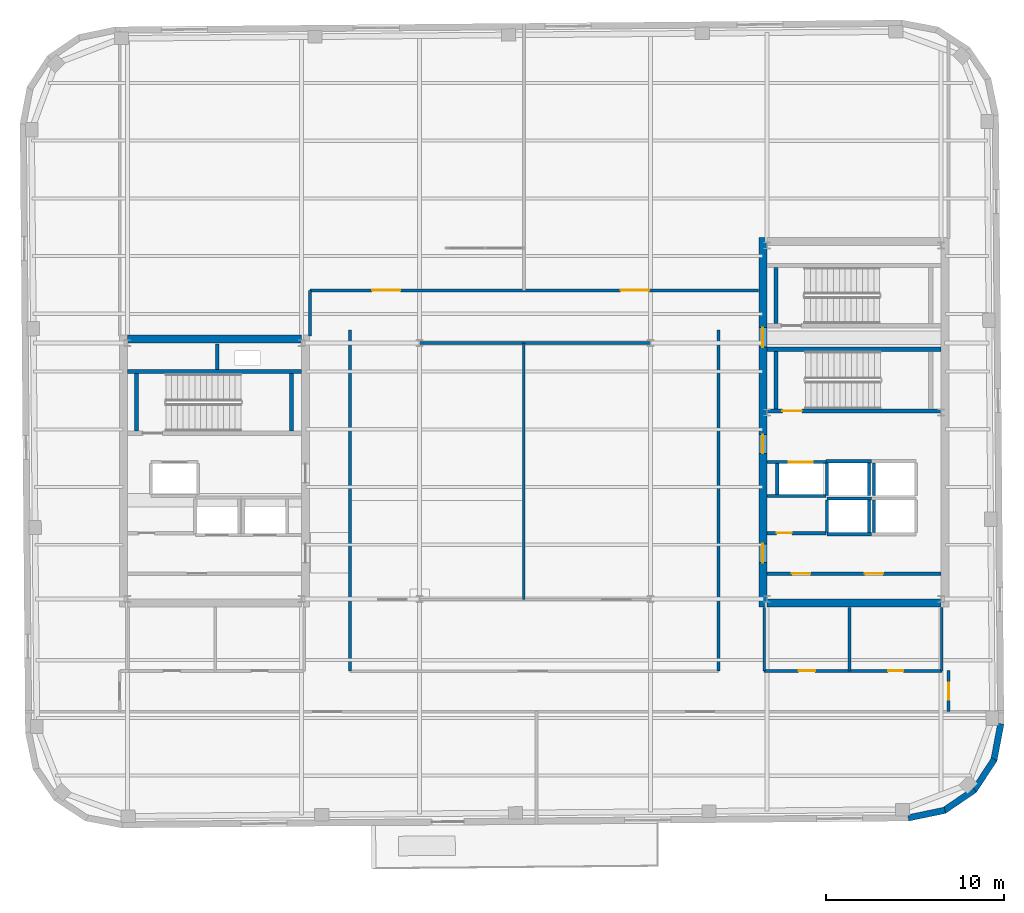
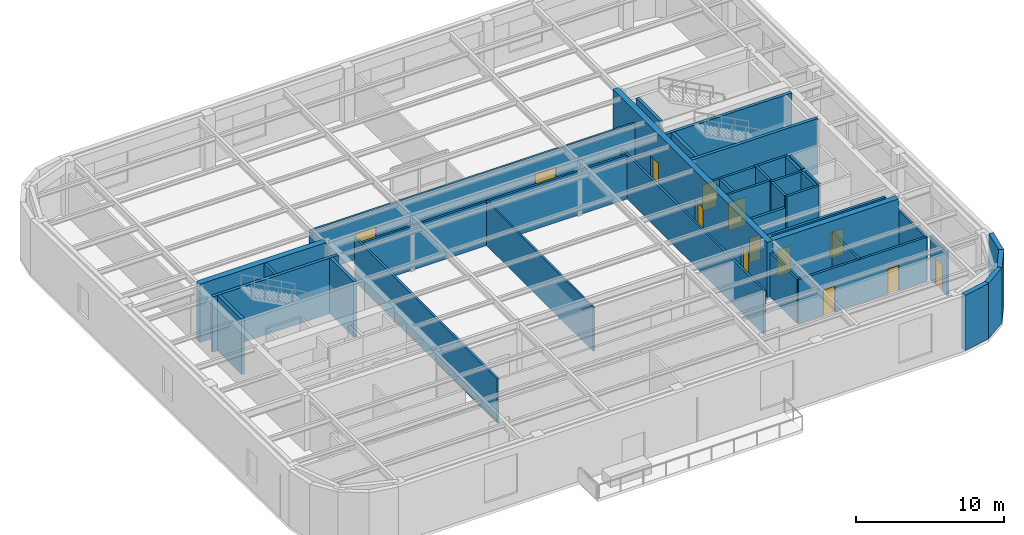
# One storey, part 9 of 13: 40 walls, 13 doors, 13 openings.
"""IFC4 building model written with IfcOpenShell, lengths in metres."""

from ifc_helpers import new_model, si_unit, direction, frame, frame_2d, origin, place, context, subcontext, project, spatial, rectangle, extrude, material, layer, layer_set, type_object, element, fill, save


model = new_model("IFC4")

# Units and contexts
model_context = context("Model", 3, precision=1e-05, world=origin(), true_north=direction((0.0, 1.0)))
body_context = subcontext(model_context, "Body", "Model", "MODEL_VIEW")
ifc_project = project(units=[si_unit("LENGTHUNIT", "METRE"), si_unit("AREAUNIT", "SQUARE_METRE"), si_unit("VOLUMEUNIT", "CUBIC_METRE"), si_unit("PLANEANGLEUNIT", "RADIAN"), si_unit("MASSUNIT", "GRAM", prefix="KILO")], contexts=[model_context])

# Site, building, storey
site_placement = place(None, origin())
site = spatial("IfcSite", under=ifc_project, at=site_placement, CompositionType="ELEMENT")
building_placement = place(site_placement, origin())
building = spatial("IfcBuilding", under=site, at=building_placement, Name="Kolvaren Arena Tower", CompositionType="ELEMENT")
storey_placement = place(building_placement, frame((0.0, 0.0, 312.39990234375)))
storey = spatial("IfcBuildingStorey", under=building, at=storey_placement, Name="L77", CompositionType="ELEMENT", Elevation=312.39990234375)

# Walls
ifc_material_1 = material(Name="Gypsum board acoustic assembly", Category="gypsum")
ifc_layer_1 = layer(ifc_material_1, 0.159912109375)
ifc_layer_set_1 = layer_set([ifc_layer_1], Name="Gypsum board acoustic assembly")
wall_type_1 = type_object("IfcWallType", Name="CORR-160", PredefinedType="PARTITIONING", material=ifc_layer_set_1)
wall_1_placement = place(storey_placement, frame((27.080078125, 33.85009765625, 0.0), z_axis=(0.0, 0.0, 1.0), x_axis=(1.0, 0.0, 0.0)))
element("IfcWall", 1, at=wall_1_placement, inside=storey, type_object=wall_type_1, Name="Interior Partition Wall (L77)", PredefinedType="PARTITIONING", context=body_context, shape_type="SweptSolid", body=[
    extrude(rectangle(XDim=20.739990234375, YDim=0.159912109375, at=frame_2d((10.3701171875, 0.0))), origin(), (0.0, 0.0, 1.0), 3.6201171875),
])
for number, where, z_axis, x_axis, name in (
    (2, (27.080078125, 15.3798828125, 0.0), (0.0, 0.0, 1.0), (0.0, 1.0, 0.0), "Interior Partition Wall (L77)"),
    (3, (47.820068359375, 15.3798828125, 0.0), (0.0, 0.0, 1.0), (0.0, 1.0, 0.0), "Interior Partition Wall (L77)"),
):
    element("IfcWall", number, at=place(storey_placement, frame(where, z_axis=z_axis, x_axis=x_axis)), inside=storey, type_object=wall_type_1, Name=name, PredefinedType="PARTITIONING", context=body_context, shape_type="SweptSolid", body=[
        extrude(rectangle(XDim=19.2001953125, YDim=0.159912109375, at=frame_2d((9.60009765625, 0.0))), origin(), (0.0, 0.0, 1.0), 3.6201171875),
    ])
wall_2_placement = place(storey_placement, frame((24.820068359375, 34.25, 0.0), z_axis=(0.0, 0.0, 1.0), x_axis=(0.0, 1.0, 0.0)))
element("IfcWall", 4, at=wall_2_placement, inside=storey, type_object=wall_type_1, Name="Interior Partition Wall (L77)", PredefinedType="PARTITIONING", context=body_context, shape_type="SweptSolid", body=[
    extrude(rectangle(XDim=2.570068359375, YDim=0.159912109375, at=frame_2d((1.28515625, 0.0))), origin(), (0.0, 0.0, 1.0), 3.6201171875),
])

# Wall, openings, doors
wall_3_placement = place(storey_placement, frame((24.820068359375, 36.820068359375, 0.0), z_axis=(0.0, 0.0, 1.0), x_axis=(1.0, 0.0, 0.0)))
wall_3 = element("IfcWall", 5, at=wall_3_placement, inside=storey, type_object=wall_type_1, Name="Interior Partition Wall (L77)", PredefinedType="PARTITIONING", context=body_context, shape_type="SweptSolid", body=[
    extrude(rectangle(XDim=25.260009765625, YDim=0.159912109375, at=frame_2d((12.6298828125, 0.0))), origin(), (0.0, 0.0, 1.0), 3.6201171875),
])
opening_1_placement = place(wall_3_placement, frame((3.5, 0.0, 0.0)))
opening_1 = element("IfcOpeningElement", 6, at=opening_1_placement, cuts=wall_3, Name="Opening D06", PredefinedType="OPENING", context=body_context, shape_type="SweptSolid", body=[
    extrude(rectangle(XDim=1.60009765625, YDim=2.14990234375, at=frame_2d((0.800048828125, 1.074951171875))), frame((0.0, 0.08984375, 0.0), z_axis=(0.0, -1.0, 0.0), x_axis=(1.0, 0.0, 0.0)), (0.0, 0.0, 1.0), 0.179931640625),
])
opening_2_placement = place(wall_3_placement, frame((17.5, 0.0, 0.0)))
opening_2 = element("IfcOpeningElement", 7, at=opening_2_placement, cuts=wall_3, Name="Opening D06", PredefinedType="OPENING", context=body_context, shape_type="SweptSolid", body=[
    extrude(rectangle(XDim=1.60009765625, YDim=2.14990234375, at=frame_2d((0.800048828125, 1.074951171875))), frame((0.0, 0.08984375, 0.0), z_axis=(0.0, -1.0, 0.0), x_axis=(1.0, 0.0, 0.0)), (0.0, 0.0, 1.0), 0.179931640625),
])
ifc_material_2 = material(Name="Glazed acoustic boardroom double door", Category="aluminium")
door_type_1 = type_object("IfcDoorType", Name="DOOR-MT-160", OperationType="DOUBLE_DOOR_SINGLE_SWING", PredefinedType="DOOR", material=ifc_material_2)
door_1_placement = place(opening_1_placement, origin())
door_1 = element("IfcDoor", 8, at=door_1_placement, inside=storey, type_object=door_type_1, Name="Wintergarden Door (L77)", OperationType="DOUBLE_DOOR_SINGLE_SWING", OverallHeight=2.14990234375, OverallWidth=1.60009765625, PredefinedType="DOOR", context=body_context, shape_type="SweptSolid", body=[
    extrude(rectangle(XDim=1.60009765625, YDim=2.14990234375, at=frame_2d((0.800048828125, 1.074951171875))), frame((0.0, 0.02490234375, 0.0), z_axis=(0.0, -1.0, 0.0), x_axis=(1.0, 0.0, 0.0)), (0.0, 0.0, 1.0), 0.050048828125),
])
fill(opening_1, door_1)
door_2_placement = place(opening_2_placement, origin())
door_2 = element("IfcDoor", 9, at=door_2_placement, inside=storey, type_object=door_type_1, Name="Catering Pantry Door (L77)", OperationType="DOUBLE_DOOR_SINGLE_SWING", OverallHeight=2.14990234375, OverallWidth=1.60009765625, PredefinedType="DOOR", context=body_context, shape_type="SweptSolid", body=[
    extrude(rectangle(XDim=1.60009765625, YDim=2.14990234375, at=frame_2d((0.800048828125, 1.074951171875))), frame((0.0, 0.02490234375, 0.0), z_axis=(0.0, -1.0, 0.0), x_axis=(1.0, 0.0, 0.0)), (0.0, 0.0, 1.0), 0.050048828125),
])
fill(opening_2, door_2)

# Wall, opening, door
wall_4_placement = place(storey_placement, frame((60.780029296875, 13.1201171875, 0.0), z_axis=(0.0, 0.0, 1.0), x_axis=(0.0, 1.0, 0.0)))
wall_4 = element("IfcWall", 10, at=wall_4_placement, inside=storey, type_object=wall_type_1, Name="Interior Partition Wall (L77)", PredefinedType="PARTITIONING", context=body_context, shape_type="SweptSolid", body=[
    extrude(rectangle(XDim=2.2998046875, YDim=0.159912109375, at=frame_2d((1.14990234375, 0.0))), origin(), (0.0, 0.0, 1.0), 3.6201171875),
])
opening_3_placement = place(wall_4_placement, frame((0.64990234375, 0.0, 0.0)))
opening_3 = element("IfcOpeningElement", 11, at=opening_3_placement, cuts=wall_4, Name="Opening D05", PredefinedType="OPENING", context=body_context, shape_type="SweptSolid", body=[
    extrude(rectangle(XDim=0.949951171875, YDim=2.14990234375, at=frame_2d((0.47509765625, 1.074951171875))), frame((0.0, 0.08984375, 0.0), z_axis=(0.0, -1.0, 0.0), x_axis=(1.0, 0.0, 0.0)), (0.0, 0.0, 1.0), 0.179931640625),
])
ifc_material_3 = material(Name="Solid-core oak acoustic office door", Category="wood")
door_type_2 = type_object("IfcDoorType", Name="DOOR-OF-095", OperationType="NOTDEFINED", PredefinedType="DOOR", material=ifc_material_3)
door_3_placement = place(opening_3_placement, origin())
door_3 = element("IfcDoor", 12, at=door_3_placement, inside=storey, type_object=door_type_2, Name="East Sky Lounge Door (L77)", OperationType="SINGLE_SWING_RIGHT", OverallHeight=2.14990234375, OverallWidth=0.949951171875, PredefinedType="DOOR", context=body_context, shape_type="SweptSolid", body=[
    extrude(rectangle(XDim=0.949951171875, YDim=2.14990234375, at=frame_2d((0.47509765625, 1.074951171875))), frame((0.0, 0.02490234375, 0.0), z_axis=(0.0, -1.0, 0.0), x_axis=(1.0, 0.0, 0.0)), (0.0, 0.0, 1.0), 0.050048828125),
])
fill(opening_3, door_3)

# Wall
ifc_material_4 = material(Name="Concrete 55 MPa", Category="concrete")
ifc_layer_2 = layer(ifc_material_4, 0.449951171875)
ifc_layer_set_2 = layer_set([ifc_layer_2], Name="Concrete 55 MPa")
wall_type_2 = type_object("IfcWallType", Name="CWALL-450", PredefinedType="SHEAR", material=ifc_layer_set_2)
wall_5_placement = place(storey_placement, frame((14.550048828125, 34.074951171875, -0.239990234375), z_axis=(0.0, 0.0, 1.0), x_axis=(1.0, 0.0, 0.0)))
element("IfcWall", 13, at=wall_5_placement, inside=storey, type_object=wall_type_2, Name="Core Shear Wall WC-NORTH (L77)", PredefinedType="SHEAR", context=body_context, shape_type="SweptSolid", body=[
    extrude(rectangle(XDim=9.800048828125, YDim=0.449951171875, at=frame_2d((4.89990234375, 0.0))), origin(), (0.0, 0.0, 1.0), 4.800048828125),
])

# Wall, openings, doors
wall_6_placement = place(storey_placement, frame((50.324951171875, 19.0, -0.239990234375), z_axis=(0.0, 0.0, 1.0), x_axis=(0.0, 1.0, 0.0)))
wall_6 = element("IfcWall", 14, at=wall_6_placement, inside=storey, type_object=wall_type_2, Name="Core Shear Wall EC-WEST (L77)", PredefinedType="SHEAR", context=body_context, shape_type="SweptSolid", body=[
    extrude(rectangle(XDim=20.800048828125, YDim=0.449951171875, at=frame_2d((10.39990234375, 0.0))), origin(), (0.0, 0.0, 1.0), 4.800048828125),
])
opening_4_placement = place(wall_6_placement, frame((2.5, 0.0, 0.239990234375)))
opening_4 = element("IfcOpeningElement", 15, at=opening_4_placement, cuts=wall_6, Name="Opening D04", PredefinedType="OPENING", context=body_context, shape_type="SweptSolid", body=[
    extrude(rectangle(XDim=1.050048828125, YDim=2.14990234375, at=frame_2d((0.52490234375, 1.074951171875))), frame((0.0, 0.23486328125, 0.0), z_axis=(0.0, -1.0, 0.0), x_axis=(1.0, 0.0, 0.0)), (0.0, 0.0, 1.0), 0.469970703125),
])
opening_5_placement = place(wall_6_placement, frame((8.64990234375, 0.0, 0.239990234375)))
opening_5 = element("IfcOpeningElement", 16, at=opening_5_placement, cuts=wall_6, Name="Opening D04", PredefinedType="OPENING", context=body_context, shape_type="SweptSolid", body=[
    extrude(rectangle(XDim=1.050048828125, YDim=2.14990234375, at=frame_2d((0.52490234375, 1.074951171875))), frame((0.0, 0.23486328125, 0.0), z_axis=(0.0, -1.0, 0.0), x_axis=(1.0, 0.0, 0.0)), (0.0, 0.0, 1.0), 0.469970703125),
])
opening_6_placement = place(wall_6_placement, frame((14.6201171875, 0.0, 0.239990234375)))
opening_6 = element("IfcOpeningElement", 17, at=opening_6_placement, cuts=wall_6, Name="Opening D03", PredefinedType="OPENING", context=body_context, shape_type="SweptSolid", body=[
    extrude(rectangle(XDim=1.10009765625, YDim=2.14990234375, at=frame_2d((0.550048828125, 1.074951171875))), frame((0.0, 0.23486328125, 0.0), z_axis=(0.0, -1.0, 0.0), x_axis=(1.0, 0.0, 0.0)), (0.0, 0.0, 1.0), 0.469970703125),
])
ifc_material_5 = material(Name="Fire-rated steel lobby door", Category="steel")
door_type_3 = type_object("IfcDoorType", Name="DOOR-FF-105", OperationType="NOTDEFINED", PredefinedType="DOOR", material=ifc_material_5)
door_4_placement = place(opening_4_placement, origin())
door_4 = element("IfcDoor", 18, at=door_4_placement, inside=storey, type_object=door_type_3, Name="East Lift Lobby Fire Door (L77)", OperationType="SINGLE_SWING_RIGHT", OverallHeight=2.14990234375, OverallWidth=1.050048828125, PredefinedType="DOOR", context=body_context, shape_type="SweptSolid", body=[
    extrude(rectangle(XDim=1.050048828125, YDim=2.14990234375, at=frame_2d((0.52490234375, 1.074951171875))), frame((0.0, 0.02490234375, 0.0), z_axis=(0.0, -1.0, 0.0), x_axis=(1.0, 0.0, 0.0)), (0.0, 0.0, 1.0), 0.050048828125),
])
fill(opening_4, door_4)
door_5_placement = place(opening_5_placement, origin())
door_5 = element("IfcDoor", 19, at=door_5_placement, inside=storey, type_object=door_type_3, Name="East Firefighter Vestibule Door (L77)", OperationType="SINGLE_SWING_LEFT", OverallHeight=2.14990234375, OverallWidth=1.050048828125, PredefinedType="DOOR", context=body_context, shape_type="SweptSolid", body=[
    extrude(rectangle(XDim=1.050048828125, YDim=2.14990234375, at=frame_2d((0.52490234375, 1.074951171875))), frame((0.0, 0.02490234375, 0.0), z_axis=(0.0, -1.0, 0.0), x_axis=(1.0, 0.0, 0.0)), (0.0, 0.0, 1.0), 0.050048828125),
])
fill(opening_5, door_5)
ifc_material_6 = material(Name="Fire-rated steel exit stair door", Category="steel")
door_type_4 = type_object("IfcDoorType", Name="DOOR-ST-110", OperationType="NOTDEFINED", PredefinedType="DOOR", material=ifc_material_6)
door_6_placement = place(opening_6_placement, origin())
door_6 = element("IfcDoor", 20, at=door_6_placement, inside=storey, type_object=door_type_4, Name="Stair ST-E2 Vestibule Fire Door (L77)", OperationType="SINGLE_SWING_LEFT", OverallHeight=2.14990234375, OverallWidth=1.10009765625, PredefinedType="DOOR", context=body_context, shape_type="SweptSolid", body=[
    extrude(rectangle(XDim=1.10009765625, YDim=2.14990234375, at=frame_2d((0.550048828125, 1.074951171875))), frame((0.0, 0.02490234375, 0.0), z_axis=(0.0, -1.0, 0.0), x_axis=(1.0, 0.0, 0.0)), (0.0, 0.0, 1.0), 0.050048828125),
])
fill(opening_6, door_6)

# Walls
wall_7_placement = place(storey_placement, frame((50.550048828125, 19.22509765625, -0.239990234375), z_axis=(0.0, 0.0, 1.0), x_axis=(1.0, 0.0, 0.0)))
element("IfcWall", 21, at=wall_7_placement, inside=storey, type_object=wall_type_2, Name="Core Shear Wall EC-SOUTH (L77)", PredefinedType="SHEAR", context=body_context, shape_type="SweptSolid", body=[
    extrude(rectangle(XDim=9.800048828125, YDim=0.449951171875, at=frame_2d((4.89990234375, 0.0))), origin(), (0.0, 0.0, 1.0), 4.800048828125),
])
ifc_material_7 = material(Name="Precast concrete C50/60", Category="concrete")
ifc_layer_3 = layer(ifc_material_7, 0.360107421875)
ifc_layer_set_3 = layer_set([ifc_layer_3], Name="Precast concrete C50/60")
wall_type_3 = type_object("IfcWallType", Name="EXT-PIER2", PredefinedType="SOLIDWALL", material=ifc_layer_set_3)
wall_8_placement = place(storey_placement, frame((60.572265625, 7.54931640625, 0.0), z_axis=(0.0, 0.0, 1.0), x_axis=(-0.979059388908, -0.203574833883, 0.0)))
element("IfcWall", 22, at=wall_8_placement, inside=storey, type_object=wall_type_3, Name="Exterior Precast Masonry-Frame Wall (L77)", PredefinedType="SOLIDWALL", context=body_context, shape_type="SweptSolid", body=[
    extrude(rectangle(XDim=2.107177734375, YDim=0.360107421875, at=frame_2d((1.0537109375, 0.0))), origin(), (0.0, 0.0, 1.0), 4.56005859375),
])
for number, where, z_axis, x_axis, name in (
    (23, (62.2490234375, 8.707763671875, 0.0), (0.0, 0.0, 1.0), (-0.826572866302, -0.562829722645, 0.0), "Exterior Precast Masonry-Frame Wall (L77)"),
    (24, (63.35498046875, 10.419921875, 0.0), (0.0, 0.0, 1.0), (-0.54818559406, -0.836356714844, 0.0), "Exterior Precast Masonry-Frame Wall (L77)"),
    (25, (63.7216796875, 12.4248046875, 0.0), (0.0, 0.0, 1.0), (-0.186435855703, -0.98246713518, 0.0), "Exterior Precast Masonry-Frame Wall (L77)"),
):
    element("IfcWall", number, at=place(storey_placement, frame(where, z_axis=z_axis, x_axis=x_axis)), inside=storey, type_object=wall_type_3, Name=name, PredefinedType="SOLIDWALL", context=body_context, shape_type="SweptSolid", body=[
        extrude(rectangle(XDim=2.10693359375, YDim=0.360107421875, at=frame_2d((1.053466796875, 0.0))), origin(), (0.0, 0.0, 1.0), 4.56005859375),
    ])

# Wall, openings, doors
ifc_material_8 = material(Name="Concrete 40 MPa", Category="concrete")
ifc_layer_4 = layer(ifc_material_8, 0.199951171875)
ifc_layer_set_4 = layer_set([ifc_layer_4], Name="Concrete 40 MPa")
wall_type_4 = type_object("IfcWallType", Name="LOBBY-200", PredefinedType="SOLIDWALL", material=ifc_layer_set_4)
wall_9_placement = place(storey_placement, frame((50.550048828125, 20.8798828125, 0.0), z_axis=(0.0, 0.0, 1.0), x_axis=(1.0, 0.0, 0.0)))
wall_9 = element("IfcWall", 26, at=wall_9_placement, inside=storey, type_object=wall_type_4, Name="Core Shaft Wall (L77)", PredefinedType="SOLIDWALL", context=body_context, shape_type="SweptSolid", body=[
    extrude(rectangle(XDim=9.800048828125, YDim=0.199951171875, at=frame_2d((4.89990234375, 0.0))), origin(), (0.0, 0.0, 1.0), 3.6201171875),
])
opening_7_placement = place(wall_9_placement, frame((1.39990234375, 0.0, 0.0)))
opening_7 = element("IfcOpeningElement", 27, at=opening_7_placement, cuts=wall_9, Name="Opening D04", PredefinedType="OPENING", context=body_context, shape_type="SweptSolid", body=[
    extrude(rectangle(XDim=1.050048828125, YDim=2.14990234375, at=frame_2d((0.52490234375, 1.074951171875))), frame((0.0, 0.10986328125, 0.0), z_axis=(0.0, -1.0, 0.0), x_axis=(1.0, 0.0, 0.0)), (0.0, 0.0, 1.0), 0.219970703125),
])
opening_8_placement = place(wall_9_placement, frame((5.5, 0.0, 0.0)))
opening_8 = element("IfcOpeningElement", 28, at=opening_8_placement, cuts=wall_9, Name="Opening D04", PredefinedType="OPENING", context=body_context, shape_type="SweptSolid", body=[
    extrude(rectangle(XDim=1.050048828125, YDim=2.14990234375, at=frame_2d((0.52490234375, 1.074951171875))), frame((0.0, 0.10986328125, 0.0), z_axis=(0.0, -1.0, 0.0), x_axis=(1.0, 0.0, 0.0)), (0.0, 0.0, 1.0), 0.219970703125),
])
door_7_placement = place(opening_7_placement, origin())
door_7 = element("IfcDoor", 29, at=door_7_placement, inside=storey, type_object=door_type_3, Name="East Telecom Room Fire Door (L77)", OperationType="SINGLE_SWING_RIGHT", OverallHeight=2.14990234375, OverallWidth=1.050048828125, PredefinedType="DOOR", context=body_context, shape_type="SweptSolid", body=[
    extrude(rectangle(XDim=1.050048828125, YDim=2.14990234375, at=frame_2d((0.52490234375, 1.074951171875))), frame((0.0, 0.02490234375, 0.0), z_axis=(0.0, -1.0, 0.0), x_axis=(1.0, 0.0, 0.0)), (0.0, 0.0, 1.0), 0.050048828125),
])
fill(opening_7, door_7)
door_8_placement = place(opening_8_placement, origin())
door_8 = element("IfcDoor", 30, at=door_8_placement, inside=storey, type_object=door_type_3, Name="East Records Room Fire Door (L77)", OperationType="SINGLE_SWING_LEFT", OverallHeight=2.14990234375, OverallWidth=1.050048828125, PredefinedType="DOOR", context=body_context, shape_type="SweptSolid", body=[
    extrude(rectangle(XDim=1.050048828125, YDim=2.14990234375, at=frame_2d((0.52490234375, 1.074951171875))), frame((0.0, 0.02490234375, 0.0), z_axis=(0.0, -1.0, 0.0), x_axis=(1.0, 0.0, 0.0)), (0.0, 0.0, 1.0), 0.050048828125),
])
fill(opening_8, door_8)

# Wall, opening, door
wall_10_placement = place(storey_placement, frame((50.550048828125, 23.159912109375, 0.0), z_axis=(0.0, 0.0, 1.0), x_axis=(1.0, 0.0, 0.0)))
wall_10 = element("IfcWall", 31, at=wall_10_placement, inside=storey, type_object=wall_type_4, Name="Core Shaft Wall (L77)", PredefinedType="SOLIDWALL", context=body_context, shape_type="SweptSolid", body=[
    extrude(rectangle(XDim=3.329833984375, YDim=0.199951171875, at=frame_2d((1.6650390625, 0.0))), origin(), (0.0, 0.0, 1.0), 3.6201171875),
])
opening_9_placement = place(wall_10_placement, frame((0.550048828125, 0.0, 0.0)))
opening_9 = element("IfcOpeningElement", 32, at=opening_9_placement, cuts=wall_10, Name="Opening D09", PredefinedType="OPENING", context=body_context, shape_type="SweptSolid", body=[
    extrude(rectangle(XDim=0.860107421875, YDim=2.050048828125, at=frame_2d((0.43017578125, 1.02490234375))), frame((0.0, 0.10986328125, 0.0), z_axis=(0.0, -1.0, 0.0), x_axis=(1.0, 0.0, 0.0)), (0.0, 0.0, 1.0), 0.219970703125),
])
ifc_material_9 = material(Name="Fire-rated steel riser access door", Category="steel")
door_type_5 = type_object("IfcDoorType", Name="DOOR-RS-086", OperationType="NOTDEFINED", PredefinedType="DOOR", material=ifc_material_9)
door_9_placement = place(opening_9_placement, origin())
door_9 = element("IfcDoor", 33, at=door_9_placement, inside=storey, type_object=door_type_5, Name="East AV Riser Closet Door (L77)", OperationType="SINGLE_SWING_LEFT", OverallHeight=2.050048828125, OverallWidth=0.860107421875, PredefinedType="DOOR", context=body_context, shape_type="SweptSolid", body=[
    extrude(rectangle(XDim=0.860107421875, YDim=2.050048828125, at=frame_2d((0.43017578125, 1.02490234375))), frame((0.0, 0.02490234375, 0.0), z_axis=(0.0, -1.0, 0.0), x_axis=(1.0, 0.0, 0.0)), (0.0, 0.0, 1.0), 0.050048828125),
])
fill(opening_9, door_9)

# Walls
ifc_material_10 = material(Name="Gypsum board partition assembly", Category="gypsum")
ifc_layer_5 = layer(ifc_material_10, 0.135009765625)
ifc_layer_set_5 = layer_set([ifc_layer_5], Name="Gypsum board partition assembly")
wall_type_5 = type_object("IfcWallType", Name="PART-135", PredefinedType="PARTITIONING", material=ifc_layer_set_5)
wall_11_placement = place(storey_placement, frame((36.8701171875, 19.419921875, 0.0), z_axis=(0.0, 0.0, 1.0), x_axis=(0.0, 1.0, 0.0)))
element("IfcWall", 34, at=wall_11_placement, inside=storey, type_object=wall_type_5, Name="Interior Partition Wall (L77)", PredefinedType="PARTITIONING", context=body_context, shape_type="SweptSolid", body=[
    extrude(rectangle(XDim=14.43017578125, YDim=0.135009765625, at=frame_2d((7.215087890625, 0.0))), origin(), (0.0, 0.0, 1.0), 3.6201171875),
])
ifc_material_11 = material(Name="Concrete 45 MPa", Category="concrete")
ifc_layer_6 = layer(ifc_material_11, 0.25)
ifc_layer_set_6 = layer_set([ifc_layer_6], Name="Concrete 45 MPa")
wall_type_6 = type_object("IfcWallType", Name="SHAFT-250", PredefinedType="SOLIDWALL", material=ifc_layer_set_6)
wall_12_placement = place(storey_placement, frame((14.550048828125, 32.25, 0.0), z_axis=(0.0, 0.0, 1.0), x_axis=(1.0, 0.0, 0.0)))
element("IfcWall", 35, at=wall_12_placement, inside=storey, type_object=wall_type_6, Name="Core Shaft Wall (L77)", PredefinedType="SOLIDWALL", context=body_context, shape_type="SweptSolid", body=[
    extrude(rectangle(XDim=9.800048828125, YDim=0.239990234375, at=frame_2d((4.89990234375, 0.0))), origin(), (0.0, 0.0, 1.0), 4.56005859375),
])
for number, where, z_axis, x_axis, name in (
    (36, (15.06005859375, 28.89990234375, 0.0), (0.0, 0.0, 1.0), (0.0, 1.0, 0.0), "Core Shaft Wall (L77)"),
    (37, (23.780029296875, 28.89990234375, 0.0), (0.0, 0.0, 1.0), (0.0, 1.0, 0.0), "Core Shaft Wall (L77)"),
):
    element("IfcWall", number, at=place(storey_placement, frame(where, z_axis=z_axis, x_axis=x_axis)), inside=storey, type_object=wall_type_6, Name=name, PredefinedType="SOLIDWALL", context=body_context, shape_type="SweptSolid", body=[
        extrude(rectangle(XDim=3.22998046875, YDim=0.239990234375, at=frame_2d((1.614990234375, 0.0))), origin(), (0.0, 0.0, 1.0), 4.56005859375),
    ])

# Wall, opening, door
wall_13_placement = place(storey_placement, frame((60.35009765625, 30.030029296875, 0.0), z_axis=(0.0, 0.0, 1.0), x_axis=(-1.0, 0.0, 0.0)))
wall_13 = element("IfcWall", 38, at=wall_13_placement, inside=storey, type_object=wall_type_6, Name="Core Shaft Wall (L77)", PredefinedType="SOLIDWALL", context=body_context, shape_type="SweptSolid", body=[
    extrude(rectangle(XDim=9.800048828125, YDim=0.239990234375, at=frame_2d((4.89990234375, 0.0))), origin(), (0.0, 0.0, 1.0), 4.56005859375),
])
opening_10_placement = place(wall_13_placement, frame((7.830078125, 0.0, 0.0)))
opening_10 = element("IfcOpeningElement", 39, at=opening_10_placement, cuts=wall_13, Name="Opening D03", PredefinedType="OPENING", context=body_context, shape_type="SweptSolid", body=[
    extrude(rectangle(XDim=1.10009765625, YDim=2.14990234375, at=frame_2d((0.550048828125, 1.074951171875))), frame((0.0, 0.1298828125, 0.0), z_axis=(0.0, -1.0, 0.0), x_axis=(1.0, 0.0, 0.0)), (0.0, 0.0, 1.0), 0.260009765625),
])
door_10_placement = place(opening_10_placement, origin())
door_10 = element("IfcDoor", 40, at=door_10_placement, inside=storey, type_object=door_type_4, Name="Stair ST-E1 Fire Door (L77)", OperationType="SINGLE_SWING_LEFT", OverallHeight=2.14990234375, OverallWidth=1.10009765625, PredefinedType="DOOR", context=body_context, shape_type="SweptSolid", body=[
    extrude(rectangle(XDim=1.10009765625, YDim=2.14990234375, at=frame_2d((0.550048828125, 1.074951171875))), frame((0.0, 0.02490234375, 0.0), z_axis=(0.0, -1.0, 0.0), x_axis=(1.0, 0.0, 0.0)), (0.0, 0.0, 1.0), 0.050048828125),
])
fill(opening_10, door_10)

# Walls
wall_14_placement = place(storey_placement, frame((50.550048828125, 33.5, 0.0), z_axis=(0.0, 0.0, 1.0), x_axis=(1.0, 0.0, 0.0)))
element("IfcWall", 41, at=wall_14_placement, inside=storey, type_object=wall_type_6, Name="Core Shaft Wall (L77)", PredefinedType="SOLIDWALL", context=body_context, shape_type="SweptSolid", body=[
    extrude(rectangle(XDim=9.800048828125, YDim=0.239990234375, at=frame_2d((4.89990234375, 0.0))), origin(), (0.0, 0.0, 1.0), 4.56005859375),
])
wall_15_placement = place(storey_placement, frame((51.06005859375, 30.14990234375, 0.0), z_axis=(0.0, 0.0, 1.0), x_axis=(0.0, 1.0, 0.0)))
element("IfcWall", 42, at=wall_15_placement, inside=storey, type_object=wall_type_6, Name="Core Shaft Wall (L77)", PredefinedType="SOLIDWALL", context=body_context, shape_type="SweptSolid", body=[
    extrude(rectangle(XDim=3.22998046875, YDim=0.239990234375, at=frame_2d((1.614990234375, 0.0))), origin(), (0.0, 0.0, 1.0), 4.56005859375),
])
wall_16_placement = place(storey_placement, frame((51.06005859375, 34.949951171875, 0.0), z_axis=(0.0, 0.0, 1.0), x_axis=(0.0, 1.0, 0.0)))
element("IfcWall", 43, at=wall_16_placement, inside=storey, type_object=wall_type_6, Name="Core Shaft Wall (L77)", PredefinedType="SOLIDWALL", context=body_context, shape_type="SweptSolid", body=[
    extrude(rectangle(XDim=3.150146484375, YDim=0.239990234375, at=frame_2d((1.5751953125, 0.0))), origin(), (0.0, 0.0, 1.0), 4.56005859375),
])
wall_17_placement = place(storey_placement, frame((19.60009765625, 32.3701171875, 0.0), z_axis=(0.0, 0.0, 1.0), x_axis=(0.0, 1.0, 0.0)))
element("IfcWall", 44, at=wall_17_placement, inside=storey, type_object=wall_type_6, Name="Core Shaft Wall (L77)", PredefinedType="SOLIDWALL", context=body_context, shape_type="SweptSolid", body=[
    extrude(rectangle(XDim=1.429931640625, YDim=0.199951171875, at=frame_2d((0.71484375, 0.0))), origin(), (0.0, 0.0, 1.0), 4.56005859375),
])
for number, where, z_axis, x_axis, name in (
    (45, (53.93994140625, 25.10498046875, 0.0), (0.0, 0.0, 1.0), (1.0, 0.0, 0.0), "Core Shaft Wall (L77)"),
    (46, (53.93994140625, 23.094970703125, 0.0), (0.0, 0.0, 1.0), (1.0, 0.0, 0.0), "Core Shaft Wall (L77)"),
):
    element("IfcWall", number, at=place(storey_placement, frame(where, z_axis=z_axis, x_axis=x_axis)), inside=storey, type_object=wall_type_6, Name=name, PredefinedType="SOLIDWALL", context=body_context, shape_type="SweptSolid", body=[
        extrude(rectangle(XDim=2.5, YDim=0.179931640625, at=frame_2d((1.25, 0.0))), origin(), (0.0, 0.0, 1.0), 4.56005859375),
    ])
for number, where, z_axis, x_axis, name in (
    (47, (53.93994140625, 23.18505859375, 0.0), (0.0, 0.0, 1.0), (0.0, 1.0, 0.0), "Core Shaft Wall (L77)"),
    (48, (56.300048828125, 23.18505859375, 0.0), (0.0, 0.0, 1.0), (0.0, 1.0, 0.0), "Core Shaft Wall (L77)"),
    (49, (56.580078125, 23.18505859375, 0.0), (0.0, 0.0, 1.0), (0.0, 1.0, 0.0), "Core Shaft Wall (L77)"),
):
    element("IfcWall", number, at=place(storey_placement, frame(where, z_axis=z_axis, x_axis=x_axis)), inside=storey, type_object=wall_type_6, Name=name, PredefinedType="SOLIDWALL", context=body_context, shape_type="SweptSolid", body=[
        extrude(rectangle(XDim=1.829833984375, YDim=0.179931640625, at=frame_2d((0.9150390625, 0.0))), origin(), (0.0, 0.0, 1.0), 4.56005859375),
    ])
wall_18_placement = place(storey_placement, frame((53.864990234375, 27.205078125, 0.0), z_axis=(0.0, 0.0, 1.0), x_axis=(1.0, 0.0, 0.0)))
element("IfcWall", 50, at=wall_18_placement, inside=storey, type_object=wall_type_6, Name="Core Shaft Wall (L77)", PredefinedType="SOLIDWALL", context=body_context, shape_type="SweptSolid", body=[
    extrude(rectangle(XDim=2.574951171875, YDim=0.179931640625, at=frame_2d((1.28759765625, 0.0))), origin(), (0.0, 0.0, 1.0), 4.56005859375),
])
for number, where, z_axis, x_axis, name in (
    (51, (53.93994140625, 25.284912109375, 0.0), (0.0, 0.0, 1.0), (0.0, 1.0, 0.0), "Core Shaft Wall (L77)"),
    (52, (56.300048828125, 25.284912109375, 0.0), (0.0, 0.0, 1.0), (0.0, 1.0, 0.0), "Core Shaft Wall (L77)"),
    (53, (56.580078125, 25.284912109375, 0.0), (0.0, 0.0, 1.0), (0.0, 1.0, 0.0), "Core Shaft Wall (L77)"),
):
    element("IfcWall", number, at=place(storey_placement, frame(where, z_axis=z_axis, x_axis=x_axis)), inside=storey, type_object=wall_type_6, Name=name, PredefinedType="SOLIDWALL", context=body_context, shape_type="SweptSolid", body=[
        extrude(rectangle(XDim=1.830078125, YDim=0.179931640625, at=frame_2d((0.9150390625, 0.0))), origin(), (0.0, 0.0, 1.0), 4.56005859375),
    ])

# Wall, opening, door
wall_19_placement = place(storey_placement, frame((50.550048828125, 27.155029296875, 0.0), z_axis=(0.0, 0.0, 1.0), x_axis=(1.0, 0.0, 0.0)))
wall_19 = element("IfcWall", 54, at=wall_19_placement, inside=storey, type_object=wall_type_6, Name="Core Shaft Wall (L77)", PredefinedType="SOLIDWALL", context=body_context, shape_type="SweptSolid", body=[
    extrude(rectangle(XDim=3.31494140625, YDim=0.179931640625, at=frame_2d((1.657470703125, 0.0))), origin(), (0.0, 0.0, 1.0), 4.56005859375),
])
opening_11_placement = place(wall_19_placement, frame((1.235107421875, 0.0, 0.0)))
opening_11 = element("IfcOpeningElement", 55, at=opening_11_placement, cuts=wall_19, Name="Opening LD2", PredefinedType="OPENING", context=body_context, shape_type="SweptSolid", body=[
    extrude(rectangle(XDim=1.35009765625, YDim=2.300048828125, at=frame_2d((0.675048828125, 1.14990234375))), frame((0.0, 0.099853515625, 0.0), z_axis=(0.0, -1.0, 0.0), x_axis=(1.0, 0.0, 0.0)), (0.0, 0.0, 1.0), 0.199951171875),
])
ifc_material_12 = material(Name="Stainless steel firefighter lift landing door", Category="steel")
door_type_6 = type_object("IfcDoorType", Name="DOOR-LD-135", OperationType="DOUBLE_DOOR_SLIDING", PredefinedType="DOOR", material=ifc_material_12)
door_11_placement = place(opening_11_placement, origin())
door_11 = element("IfcDoor", 56, at=door_11_placement, inside=storey, type_object=door_type_6, Name="Firefighter Lift FF-E1 Landing Door (L77)", OperationType="DOUBLE_DOOR_SLIDING", OverallHeight=2.300048828125, OverallWidth=1.35009765625, PredefinedType="DOOR", context=body_context, shape_type="SweptSolid", body=[
    extrude(rectangle(XDim=1.35009765625, YDim=2.300048828125, at=frame_2d((0.675048828125, 1.14990234375))), frame((0.0, 0.02490234375, 0.0), z_axis=(0.0, -1.0, 0.0), x_axis=(1.0, 0.0, 0.0)), (0.0, 0.0, 1.0), 0.050048828125),
])
fill(opening_11, door_11)

# Walls
wall_20_placement = place(storey_placement, frame((50.550048828125, 25.2451171875, 0.0), z_axis=(0.0, 0.0, 1.0), x_axis=(1.0, 0.0, 0.0)))
element("IfcWall", 57, at=wall_20_placement, inside=storey, type_object=wall_type_6, Name="Core Shaft Wall (L77)", PredefinedType="SOLIDWALL", context=body_context, shape_type="SweptSolid", body=[
    extrude(rectangle(XDim=3.31494140625, YDim=0.179931640625, at=frame_2d((1.657470703125, 0.0))), origin(), (0.0, 0.0, 1.0), 4.56005859375),
])
wall_21_placement = place(storey_placement, frame((51.1298828125, 25.3349609375, 0.0), z_axis=(0.0, 0.0, 1.0), x_axis=(0.0, 1.0, 0.0)))
element("IfcWall", 58, at=wall_21_placement, inside=storey, type_object=wall_type_6, Name="Core Shaft Wall (L77)", PredefinedType="SOLIDWALL", context=body_context, shape_type="SweptSolid", body=[
    extrude(rectangle(XDim=1.72998046875, YDim=0.179931640625, at=frame_2d((0.864990234375, 0.0))), origin(), (0.0, 0.0, 1.0), 4.56005859375),
])

# Wall, openings, doors
wall_22_placement = place(storey_placement, frame((50.39990234375, 15.39990234375, 0.0), z_axis=(0.0, 0.0, 1.0), x_axis=(1.0, 0.0, 0.0)))
wall_22 = element("IfcWall", 59, at=wall_22_placement, inside=storey, type_object=wall_type_6, Name="Interior Partition Wall (L77)", PredefinedType="SOLIDWALL", context=body_context, shape_type="SweptSolid", body=[
    extrude(rectangle(XDim=10.0, YDim=0.179931640625, at=frame_2d((5.0, 0.0))), origin(), (0.0, 0.0, 1.0), 3.6201171875),
])
opening_12_placement = place(wall_22_placement, frame((1.93994140625, 0.0, 0.0)))
opening_12 = element("IfcOpeningElement", 60, at=opening_12_placement, cuts=wall_22, Name="Opening D07", PredefinedType="OPENING", context=body_context, shape_type="SweptSolid", body=[
    extrude(rectangle(XDim=0.919921875, YDim=2.10009765625, at=frame_2d((0.4599609375, 1.050048828125))), frame((0.0, 0.099853515625, 0.0), z_axis=(0.0, -1.0, 0.0), x_axis=(1.0, 0.0, 0.0)), (0.0, 0.0, 1.0), 0.199951171875),
])
opening_13_placement = place(wall_22_placement, frame((6.969970703125, 0.0, 0.0)))
opening_13 = element("IfcOpeningElement", 61, at=opening_13_placement, cuts=wall_22, Name="Opening D09", PredefinedType="OPENING", context=body_context, shape_type="SweptSolid", body=[
    extrude(rectangle(XDim=0.860107421875, YDim=2.050048828125, at=frame_2d((0.43017578125, 1.02490234375))), frame((0.0, 0.099853515625, 0.0), z_axis=(0.0, -1.0, 0.0), x_axis=(1.0, 0.0, 0.0)), (0.0, 0.0, 1.0), 0.199951171875),
])
door_12_placement = place(opening_13_placement, origin())
door_12 = element("IfcDoor", 62, at=door_12_placement, inside=storey, type_object=door_type_5, Name="Electrical Riser Closet Door (L77)", OperationType="SINGLE_SWING_RIGHT", OverallHeight=2.050048828125, OverallWidth=0.860107421875, PredefinedType="DOOR", context=body_context, shape_type="SweptSolid", body=[
    extrude(rectangle(XDim=0.860107421875, YDim=2.050048828125, at=frame_2d((0.43017578125, 1.02490234375))), frame((0.0, 0.02490234375, 0.0), z_axis=(0.0, -1.0, 0.0), x_axis=(1.0, 0.0, 0.0)), (0.0, 0.0, 1.0), 0.050048828125),
])
fill(opening_13, door_12)
ifc_material_13 = material(Name="Laminate universal washroom door", Category="wood")
door_type_7 = type_object("IfcDoorType", Name="DOOR-WC-092", OperationType="NOTDEFINED", PredefinedType="DOOR", material=ifc_material_13)
door_13_placement = place(opening_12_placement, origin())
door_13 = element("IfcDoor", 63, at=door_13_placement, inside=storey, type_object=door_type_7, Name="Cleaner and Janitor Store Door (L77)", OperationType="SINGLE_SWING_LEFT", OverallHeight=2.10009765625, OverallWidth=0.919921875, PredefinedType="DOOR", context=body_context, shape_type="SweptSolid", body=[
    extrude(rectangle(XDim=0.919921875, YDim=2.10009765625, at=frame_2d((0.4599609375, 1.050048828125))), frame((0.0, 0.02490234375, 0.0), z_axis=(0.0, -1.0, 0.0), x_axis=(1.0, 0.0, 0.0)), (0.0, 0.0, 1.0), 0.050048828125),
])
fill(opening_12, door_13)

# Walls
ifc_material_14 = material(Name="Moisture-resistant gypsum assembly", Category="gypsum")
ifc_layer_7 = layer(ifc_material_14, 0.14990234375)
ifc_layer_set_7 = layer_set([ifc_layer_7], Name="Moisture-resistant gypsum assembly")
wall_type_7 = type_object("IfcWallType", Name="WETW-150", PredefinedType="PARTITIONING", material=ifc_layer_set_7)
for number, where, z_axis, x_axis, name in (
    (64, (55.199951171875, 15.39990234375, 0.0), (0.0, 0.0, 1.0), (0.0, 1.0, 0.0), "Interior Partition Wall (L77)"),
    (65, (50.39990234375, 15.39990234375, 0.0), (0.0, 0.0, 1.0), (0.0, 1.0, 0.0), "Interior Partition Wall (L77)"),
    (66, (60.39990234375, 15.39990234375, 0.0), (0.0, 0.0, 1.0), (0.0, 1.0, 0.0), "Interior Partition Wall (L77)"),
):
    element("IfcWall", number, at=place(storey_placement, frame(where, z_axis=z_axis, x_axis=x_axis)), inside=storey, type_object=wall_type_7, Name=name, PredefinedType="PARTITIONING", context=body_context, shape_type="SweptSolid", body=[
        extrude(rectangle(XDim=3.580078125, YDim=0.14990234375, at=frame_2d((1.7900390625, 0.0))), origin(), (0.0, 0.0, 1.0), 3.6201171875),
    ])

save(model, "model.ifc")
